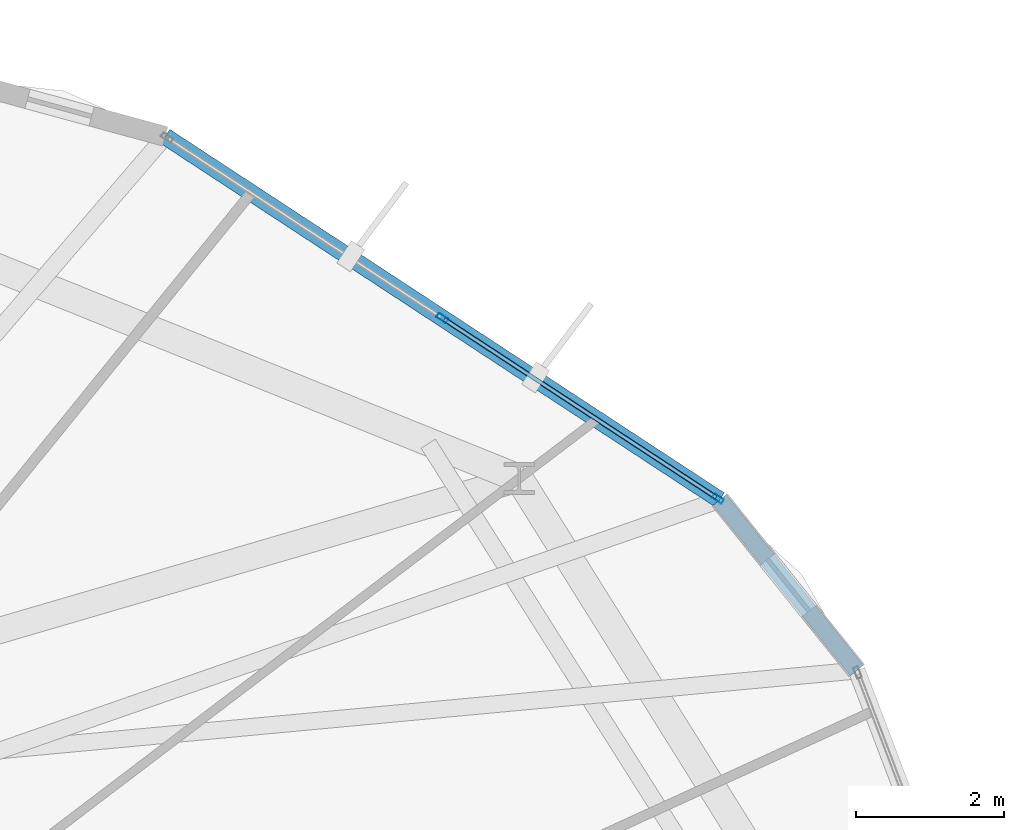
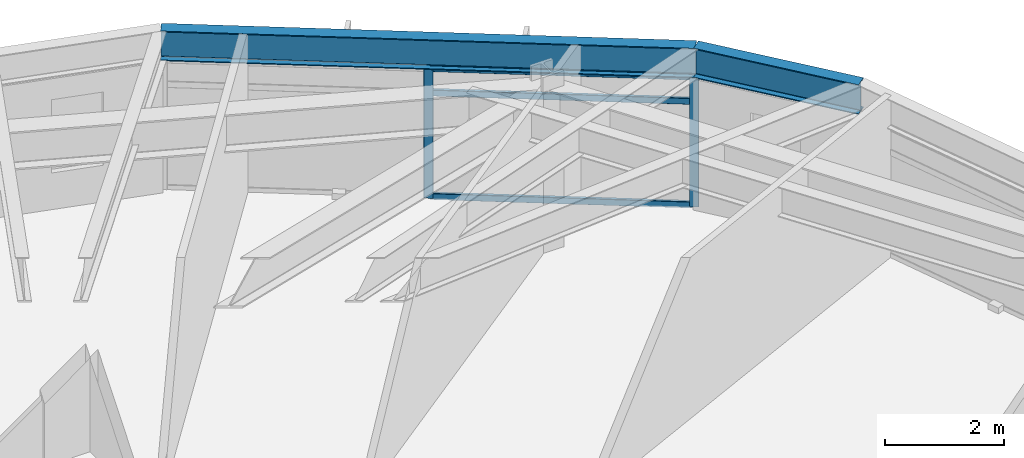
# One storey, part 16 of 23: 5 members, 2 beams, 1 element without a shape of its own.
"""IFC4 building model written with IfcOpenShell, lengths in metres."""

from ifc_helpers import new_model, si_unit, direction, frame, origin, origin_2d, place, context, subcontext, project, spatial, hollow_rectangle, i_section, extrude, material, layer, layer_set, material_profile, profile_set, type_object, element, aggregate, save


model = new_model("IFC4")

# Units and contexts
model_context = context("Model", 3, precision=1e-05, world=origin(), true_north=direction((0.0, 1.0)))
body_context = subcontext(model_context, "Body", "Model", "MODEL_VIEW")
ifc_project = project(units=[si_unit("LENGTHUNIT", "METRE"), si_unit("AREAUNIT", "SQUARE_METRE"), si_unit("VOLUMEUNIT", "CUBIC_METRE"), si_unit("PLANEANGLEUNIT", "RADIAN"), si_unit("MASSUNIT", "GRAM", prefix="KILO")], contexts=[model_context])

# Site, building, storey
site_placement = place(None, origin())
site = spatial("IfcSite", under=ifc_project, at=site_placement, CompositionType="ELEMENT")
building_placement = place(site_placement, origin())
building = spatial("IfcBuilding", under=site, at=building_placement, Name="Soratama Intermodal Tower", CompositionType="ELEMENT")
storey_placement = place(building_placement, frame((0.0, 0.0, 175.0)))
storey = spatial("IfcBuildingStorey", under=building, at=storey_placement, Name="L43", CompositionType="ELEMENT", Elevation=175.0)

# Beams
ifc_material_1 = material(Name="Structural steel ASTM A992 Grade 50", Category="steel")
ifc_material_profile_1 = material_profile(ifc_material_1, i_section(OverallWidth=0.22900390625, OverallDepth=0.612060546875, WebThickness=0.011962890625, FlangeThickness=0.01953125, FilletRadius=0.012939453125, at=origin_2d()), Name="W24X84")
ifc_profile_set_1 = profile_set([ifc_material_profile_1], Name="Structural steel ASTM A992 Grade 50")
beam_type = type_object("IfcBeamType", Name="BM-SPN-W24X84", PredefinedType="SPANDREL", material=ifc_profile_set_1)
beam_1_placement = place(storey_placement, frame((58.968017578125, 38.116943359375, 2.993896484375), z_axis=(-0.836343004846, 0.548206510583, 0.0), x_axis=(-0.548206510583, -0.836343004846, 0.0)))
element("IfcBeam", 1, at=beam_1_placement, inside=storey, type_object=beam_type, Name="BS-L43-F01", PredefinedType="SPANDREL", context=body_context, shape_type="SweptSolid", body=[
    extrude(i_section(OverallWidth=0.22900390625, OverallDepth=0.612060546875, WebThickness=0.011962890625, FlangeThickness=0.01953125, FilletRadius=0.012939453125, at=origin_2d()), origin(), (0.0, 0.0, 1.0), 8.985595703125),
])
beam_2_placement = place(storey_placement, frame((60.825927734375, 35.803955078125, 2.993896484375), z_axis=(-0.62623930099, 0.7796308985, 0.0), x_axis=(-0.7796308985, -0.62623930099, 0.0)))
element("IfcBeam", 2, at=beam_2_placement, inside=storey, type_object=beam_type, Name="BS-L43-CRN10", PredefinedType="SPANDREL", context=body_context, shape_type="SweptSolid", body=[
    extrude(i_section(OverallWidth=0.22900390625, OverallDepth=0.612060546875, WebThickness=0.011962890625, FlangeThickness=0.01953125, FilletRadius=0.012939453125, at=origin_2d()), origin(), (0.0, 0.0, 1.0), 2.966796875),
])

# Curtain wall, members
ifc_material_2 = material(Name="Double-glazed aluminium curtain wall", Category="aluminium")
ifc_layer = layer(ifc_material_2, 0.159912109375)
ifc_layer_set = layer_set([ifc_layer], Name="Double-glazed aluminium curtain wall")
curtain_wall_type = type_object("IfcCurtainWallType", Name="CW-SYS-4", PredefinedType="NOTDEFINED", material=ifc_layer_set)
curtain_wall_placement = place(storey_placement, origin())
curtain_wall = element("IfcCurtainWall", 3, at=curtain_wall_placement, inside=storey, type_object=curtain_wall_type, Name="L43 Faceted Curtain Wall F01", PredefinedType="NOTDEFINED")
ifc_material_3 = material(Name="Anodised aluminium AA 6063-T6", Category="aluminium")
ifc_material_profile_2 = material_profile(ifc_material_3, hollow_rectangle(XDim=0.070068359375, YDim=0.159912109375, WallThickness=0.0048828125, InnerFilletRadius=0.0048828125, OuterFilletRadius=0.010009765625, at=origin_2d()), Name="CWM160X70X5")
ifc_profile_set_2 = profile_set([ifc_material_profile_2], Name="Anodised aluminium AA 6063-T6")
member_type_1 = type_object("IfcMemberType", Name="MT-CWM-4", PredefinedType="MULLION", material=ifc_profile_set_2)
member_1_placement = place(storey_placement, frame((58.943359375, 38.133544921875, 0.0), z_axis=(0.0, 0.0, 1.0), x_axis=(-0.548141973426, -0.836385304133, 0.0)))
member_1 = element("IfcMember", 4, at=member_1_placement, type_object=member_type_1, Name="CW-4 mullion 1", PredefinedType="MULLION", context=body_context, shape_type="SweptSolid", body=[
    extrude(hollow_rectangle(XDim=0.070068359375, YDim=0.159912109375, WallThickness=0.0048828125, InnerFilletRadius=0.0048828125, OuterFilletRadius=0.010009765625, at=origin_2d()), origin(), (0.0, 0.0, 1.0), 2.678955078125),
])
member_2_placement = place(storey_placement, frame((55.210693359375, 40.579833984375, 0.0), z_axis=(0.0, 0.0, 1.0), x_axis=(-0.548141973426, -0.836385304133, 0.0)))
member_2 = element("IfcMember", 5, at=member_2_placement, type_object=member_type_1, Name="CW-4 mullion 2", PredefinedType="MULLION", context=body_context, shape_type="SweptSolid", body=[
    extrude(hollow_rectangle(XDim=0.070068359375, YDim=0.159912109375, WallThickness=0.0048828125, InnerFilletRadius=0.0048828125, OuterFilletRadius=0.010009765625, at=origin_2d()), origin(), (0.0, 0.0, 1.0), 2.678955078125),
])
ifc_material_4 = material(Name="Anodised aluminium AA 6063-T6", Category="aluminium")
ifc_material_profile_3 = material_profile(ifc_material_4, hollow_rectangle(XDim=0.06005859375, YDim=0.1298828125, WallThickness=0.0048828125, InnerFilletRadius=0.0048828125, OuterFilletRadius=0.010009765625, at=origin_2d()), Name="CWT130X60X5")
ifc_profile_set_3 = profile_set([ifc_material_profile_3], Name="Anodised aluminium AA 6063-T6")
member_type_2 = type_object("IfcMemberType", Name="TT-CWT-2", PredefinedType="USERDEFINED", material=ifc_profile_set_3)
member_3_placement = place(storey_placement, frame((58.918212890625, 38.14990234375, 0.030029296875), z_axis=(-0.836358563965, 0.54818277288, 0.0), x_axis=(-0.54818277288, -0.836358563965, 0.0)))
member_3 = element("IfcMember", 6, at=member_3_placement, type_object=member_type_2, Name="CW-4 transom 1.1", ObjectType="TRANSOM", PredefinedType="USERDEFINED", context=body_context, shape_type="SweptSolid", body=[
    extrude(hollow_rectangle(XDim=0.06005859375, YDim=0.1298828125, WallThickness=0.0048828125, InnerFilletRadius=0.0048828125, OuterFilletRadius=0.010009765625, at=origin_2d()), origin(), (0.0, 0.0, 1.0), 4.40283203125),
])
member_4_placement = place(storey_placement, frame((58.918212890625, 38.14990234375, 2.14990234375), z_axis=(-0.836358563965, 0.54818277288, 0.0), x_axis=(-0.54818277288, -0.836358563965, 0.0)))
member_4 = element("IfcMember", 7, at=member_4_placement, type_object=member_type_2, Name="CW-4 transom 1.2", ObjectType="TRANSOM", PredefinedType="USERDEFINED", context=body_context, shape_type="SweptSolid", body=[
    extrude(hollow_rectangle(XDim=0.06005859375, YDim=0.1298828125, WallThickness=0.0048828125, InnerFilletRadius=0.0048828125, OuterFilletRadius=0.010009765625, at=origin_2d()), origin(), (0.0, 0.0, 1.0), 4.40283203125),
])
member_5_placement = place(storey_placement, frame((58.918212890625, 38.14990234375, 2.64892578125), z_axis=(-0.836358563965, 0.54818277288, 0.0), x_axis=(-0.54818277288, -0.836358563965, 0.0)))
member_5 = element("IfcMember", 8, at=member_5_placement, type_object=member_type_2, Name="CW-4 transom 1.3", ObjectType="TRANSOM", PredefinedType="USERDEFINED", context=body_context, shape_type="SweptSolid", body=[
    extrude(hollow_rectangle(XDim=0.06005859375, YDim=0.1298828125, WallThickness=0.0048828125, InnerFilletRadius=0.0048828125, OuterFilletRadius=0.010009765625, at=origin_2d()), origin(), (0.0, 0.0, 1.0), 4.40283203125),
])
aggregate(curtain_wall, [member_1, member_2, member_3, member_4, member_5])

save(model, "model.ifc")
